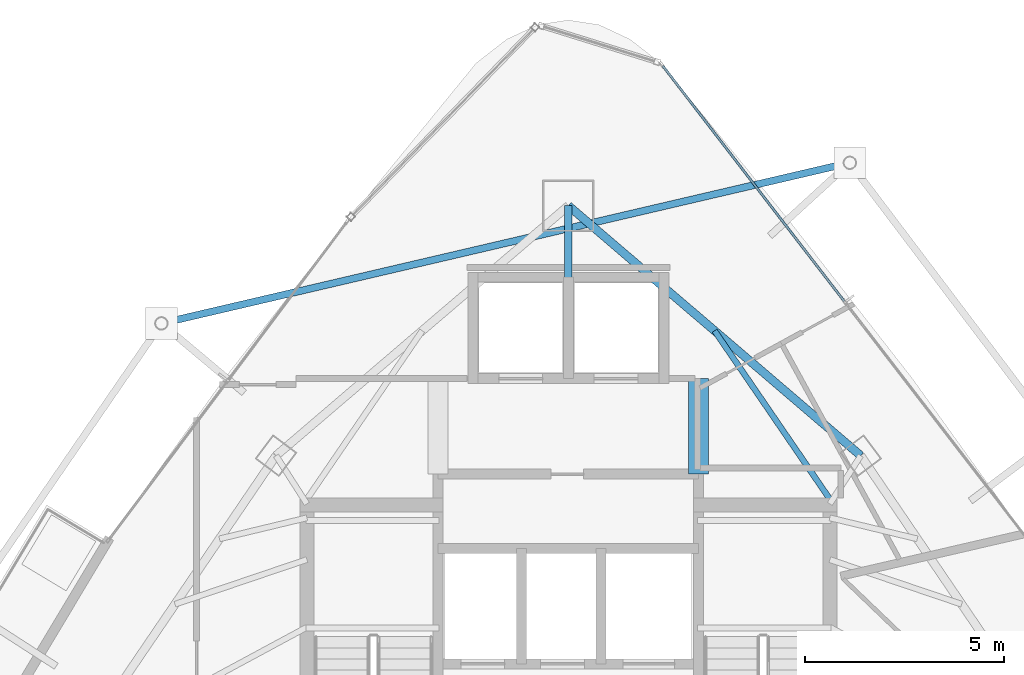
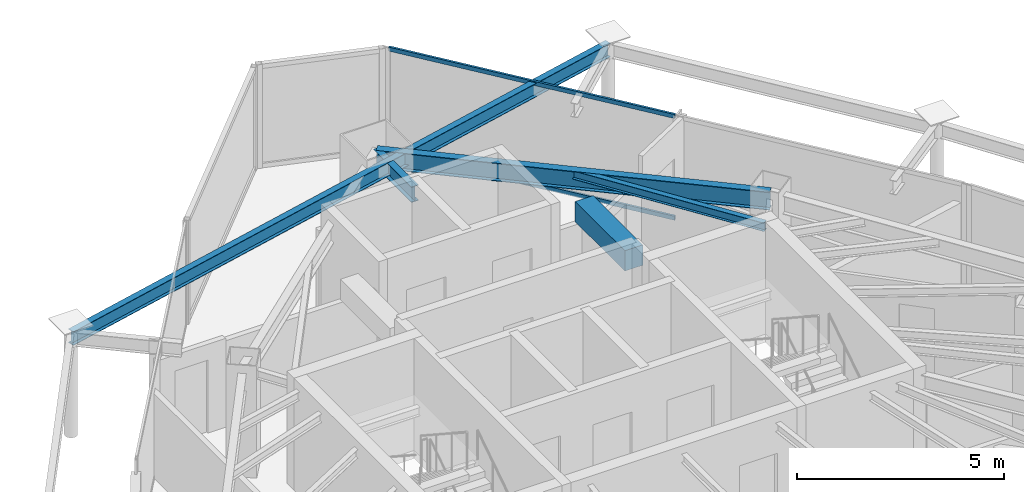
# One storey, part 23 of 32: 5 beams, 2 members, 1 element without a shape of its own.
"""IFC4 building model written with IfcOpenShell, lengths in metres."""

from ifc_helpers import new_model, si_unit, direction, frame, origin, origin_2d, place, context, subcontext, project, spatial, rectangle, hollow_rectangle, i_section, extrude, material, layer, layer_set, material_profile, profile_set, type_object, element, aggregate, save


model = new_model("IFC4")

# Units and contexts
model_context = context("Model", 3, precision=1e-05, world=origin(), true_north=direction((0.0, 1.0)))
body_context = subcontext(model_context, "Body", "Model", "MODEL_VIEW")
ifc_project = project(units=[si_unit("LENGTHUNIT", "METRE"), si_unit("AREAUNIT", "SQUARE_METRE"), si_unit("VOLUMEUNIT", "CUBIC_METRE"), si_unit("PLANEANGLEUNIT", "RADIAN"), si_unit("MASSUNIT", "GRAM", prefix="KILO")], contexts=[model_context])

# Site, building, storey
site_placement = place(None, origin())
site = spatial("IfcSite", under=ifc_project, at=site_placement, CompositionType="ELEMENT")
building_placement = place(site_placement, origin())
building = spatial("IfcBuilding", under=site, at=building_placement, Name="Orvanel Arch Residences", CompositionType="ELEMENT")
storey_placement = place(building_placement, frame((0.0, 0.0, 222.800048828125)))
storey = spatial("IfcBuildingStorey", under=building, at=storey_placement, Name="L63", CompositionType="ELEMENT", Elevation=222.800048828125)

# Beams
ifc_material_1 = material(Name="Structural steel AS/NZS 3679.1 Grade 300 (300 MPa)", Category="steel")
ifc_material_profile_1 = material_profile(ifc_material_1, i_section(OverallWidth=0.19091796875, OverallDepth=0.4599609375, WebThickness=0.010009765625, FlangeThickness=0.01611328125, at=origin_2d()), Name="460UB82.1")
ifc_profile_set_1 = profile_set([ifc_material_profile_1], Name="Structural steel AS/NZS 3679.1 Grade 300 (300 MPa)")
beam_type_1 = type_object("IfcBeamType", Name="BG-460UB", PredefinedType="BEAM", material=ifc_profile_set_1)
beam_1_placement = place(storey_placement, frame((33.0, 39.550048828125, 2.829833984375), z_axis=(0.0, 1.0, 0.0), x_axis=(-1.0, 0.0, 0.0)))
element("IfcBeam", 1, at=beam_1_placement, inside=storey, type_object=beam_type_1, Name="L63 North Radial Girder", PredefinedType="BEAM", context=body_context, shape_type="SweptSolid", body=[
    extrude(i_section(OverallWidth=0.19091796875, OverallDepth=0.4599609375, WebThickness=0.010009765625, FlangeThickness=0.01611328125, at=origin_2d()), origin(), (0.0, 0.0, 1.0), 1.847900390625),
])
ifc_material_profile_2 = material_profile(ifc_material_1, i_section(OverallWidth=0.14599609375, OverallDepth=0.251953125, WebThickness=0.006103515625, FlangeThickness=0.008544921875, at=origin_2d()), Name="250UB31.4")
ifc_profile_set_2 = profile_set([ifc_material_profile_2], Name="Structural steel AS/NZS 3679.1 Grade 300 (300 MPa)")
beam_type_2 = type_object("IfcBeamType", Name="BJ-250UB", PredefinedType="JOIST", material=ifc_profile_set_2)
beam_2_placement = place(storey_placement, frame((39.574951171875, 34.02001953125, 2.933837890625), z_axis=(-0.564868085352, 0.825181220188, 0.0), x_axis=(-0.825181220188, -0.564868085352, 0.0)))
element("IfcBeam", 2, at=beam_2_placement, inside=storey, type_object=beam_type_2, Name="L63 NNE2 Wing Floor Joist", PredefinedType="JOIST", context=body_context, shape_type="SweptSolid", body=[
    extrude(i_section(OverallWidth=0.14599609375, OverallDepth=0.251953125, WebThickness=0.006103515625, FlangeThickness=0.008544921875, at=origin_2d()), origin(), (0.0, 0.0, 1.0), 5.132080078125),
])
ifc_material_2 = material(Name="Concrete S65 (65 MPa)", Category="concrete")
ifc_material_profile_3 = material_profile(ifc_material_2, rectangle(XDim=0.5, YDim=0.60009765625, at=origin_2d()), Name="RC500x600")
ifc_profile_set_3 = profile_set([ifc_material_profile_3], Name="Concrete S65 (65 MPa)")
beam_type_3 = type_object("IfcBeamType", Name="CB-500x600", PredefinedType="LINTEL", material=ifc_profile_set_3)
beam_3_placement = place(storey_placement, frame((36.27490234375, 34.64990234375, 2.760009765625), z_axis=(0.0, 1.0, 0.0), x_axis=(-1.0, 0.0, 0.0)))
element("IfcBeam", 3, at=beam_3_placement, inside=storey, type_object=beam_type_3, Name="L63 East Core Lobby Coupling Lintel Beam", PredefinedType="LINTEL", context=body_context, shape_type="SweptSolid", body=[
    extrude(rectangle(XDim=0.5, YDim=0.60009765625, at=origin_2d()), origin(), (0.0, 0.0, 1.0), 2.400146484375),
])
ifc_material_profile_4 = material_profile(ifc_material_1, i_section(OverallWidth=0.177978515625, OverallDepth=0.406005859375, WebThickness=0.0078125, FlangeThickness=0.0126953125, at=origin_2d()), Name="410UB59.7")
ifc_profile_set_4 = profile_set([ifc_material_profile_4], Name="Structural steel AS/NZS 3679.1 Grade 300 (300 MPa)")
beam_type_4 = type_object("IfcBeamType", Name="OB-410UB-EXT", PredefinedType="SPANDREL", material=ifc_profile_set_4)
beam_4_placement = place(storey_placement, frame((40.076904296875, 42.47900390625, 2.85693359375), z_axis=(-0.973846274562, -0.227207908142, 0.0), x_axis=(0.227207908142, -0.973846274562, 0.0)))
element("IfcBeam", 4, at=beam_4_placement, inside=storey, type_object=beam_type_4, Name="L63 Outer Perimeter Floor Ring Beam 12", PredefinedType="SPANDREL", context=body_context, shape_type="SweptSolid", body=[
    extrude(i_section(OverallWidth=0.177978515625, OverallDepth=0.406005859375, WebThickness=0.0078125, FlangeThickness=0.0126953125, at=origin_2d()), origin(), (0.0, 0.0, 1.0), 17.77685546875),
])
ifc_material_profile_5 = material_profile(ifc_material_1, i_section(OverallWidth=0.208984375, OverallDepth=0.532958984375, WebThickness=0.01025390625, FlangeThickness=0.015625, at=origin_2d()), Name="530UB92.4")
ifc_profile_set_5 = profile_set([ifc_material_profile_5], Name="Structural steel AS/NZS 3679.1 Grade 300 (300 MPa)")
beam_type_5 = type_object("IfcBeamType", Name="SP-530UB", PredefinedType="SPANDREL", material=ifc_profile_set_5)
beam_5_placement = place(storey_placement, frame((40.35205078125, 35.113037109375, 2.7939453125), z_axis=(-0.760116518398, 0.649786794617, 0.0), x_axis=(-0.649786794617, -0.760116518398, 0.0)))
element("IfcBeam", 5, at=beam_5_placement, inside=storey, type_object=beam_type_5, Name="L63 Perimeter Spandrel Beam 09", PredefinedType="SPANDREL", context=body_context, shape_type="SweptSolid", body=[
    extrude(i_section(OverallWidth=0.208984375, OverallDepth=0.532958984375, WebThickness=0.01025390625, FlangeThickness=0.015625, at=origin_2d()), origin(), (0.0, 0.0, 1.0), 9.67236328125),
])

# Curtain wall, members
ifc_material_3 = material(Name="Bronze-anodised aluminium AA6063-T6", Category="aluminium")
ifc_layer = layer(ifc_material_3, 0.175048828125)
ifc_layer_set = layer_set([ifc_layer], Name="Bronze-anodised aluminium AA6063-T6")
curtain_wall_type = type_object("IfcCurtainWallType", Name="CW4-HI-SYS", PredefinedType="NOTDEFINED", material=ifc_layer_set)
curtain_wall_placement = place(storey_placement, origin())
curtain_wall = element("IfcCurtainWall", 6, at=curtain_wall_placement, inside=storey, type_object=curtain_wall_type, Name="L63 CW4-HI-SYS Unitised Curtain Wall", PredefinedType="NOTDEFINED")
ifc_material_profile_6 = material_profile(ifc_material_3, hollow_rectangle(XDim=0.06005859375, YDim=0.1201171875, WallThickness=0.00341796875, at=origin_2d()), Name="ALU120x60x3.5")
ifc_profile_set_6 = profile_set([ifc_material_profile_6], Name="Bronze-anodised aluminium AA6063-T6")
member_type = type_object("IfcMemberType", Name="TRN-120x60", PredefinedType="USERDEFINED", material=ifc_profile_set_6)
member_1_placement = place(storey_placement, frame((39.93603515625, 38.997802734375, 0.030029296875), z_axis=(-0.610559498892, 0.791970389796, 0.0), x_axis=(-0.791970389796, -0.610559498892, 0.0)))
member_1 = element("IfcMember", 7, at=member_1_placement, type_object=member_type, Name="CW-S4 transom 2.1", ObjectType="TRANSOM", PredefinedType="USERDEFINED", context=body_context, shape_type="SweptSolid", body=[
    extrude(hollow_rectangle(XDim=0.06005859375, YDim=0.1201171875, WallThickness=0.00341796875, at=origin_2d()), origin(), (0.0, 0.0, 1.0), 7.475830078125),
])
member_2_placement = place(storey_placement, frame((39.93603515625, 38.997802734375, 3.030029296875), z_axis=(-0.610559498892, 0.791970389796, 0.0), x_axis=(-0.791970389796, -0.610559498892, 0.0)))
member_2 = element("IfcMember", 8, at=member_2_placement, type_object=member_type, Name="CW-S4 transom 2.2", ObjectType="TRANSOM", PredefinedType="USERDEFINED", context=body_context, shape_type="SweptSolid", body=[
    extrude(hollow_rectangle(XDim=0.06005859375, YDim=0.1201171875, WallThickness=0.00341796875, at=origin_2d()), origin(), (0.0, 0.0, 1.0), 7.475830078125),
])
aggregate(curtain_wall, [member_1, member_2])

save(model, "model.ifc")
